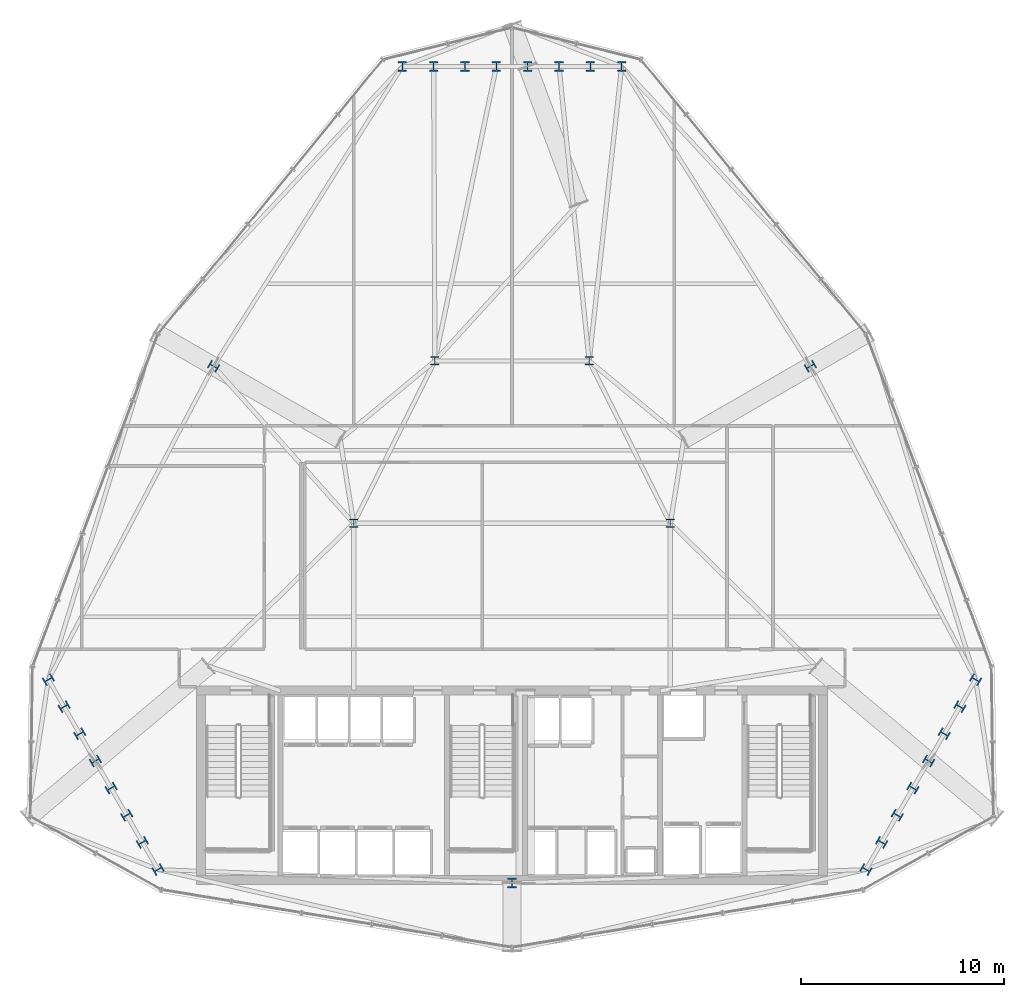
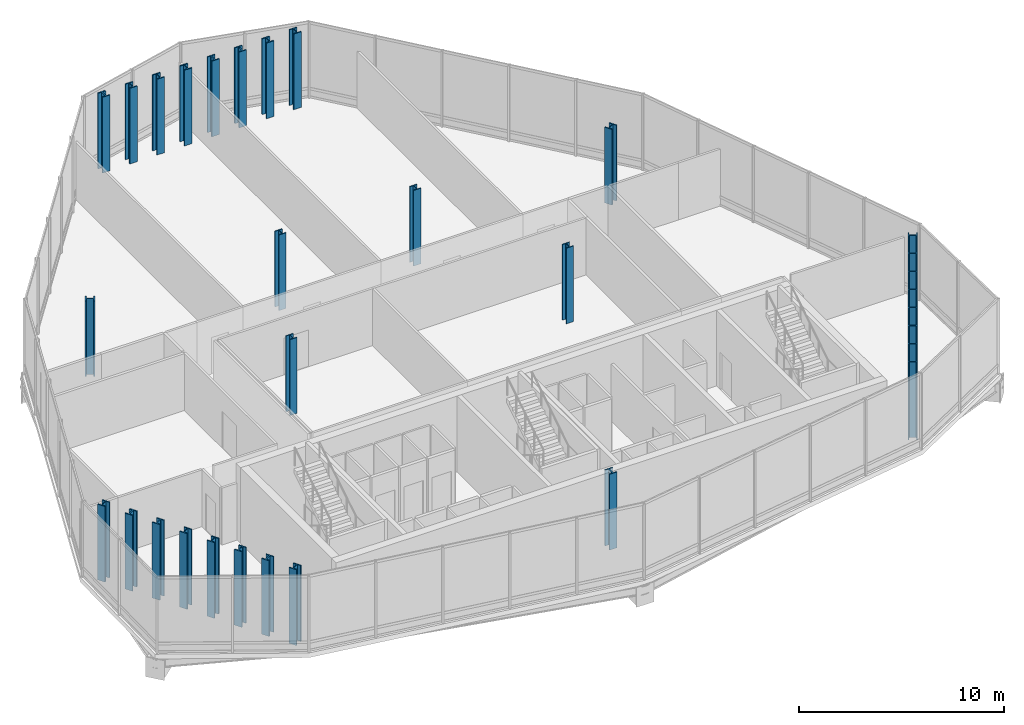
# One storey, part 1 of 26: 31 columns.
"""IFC4 building model written with IfcOpenShell, lengths in metres."""

from ifc_helpers import new_model, si_unit, direction, frame, origin, origin_2d, place, context, subcontext, project, spatial, i_section, extrude, material, material_profile, profile_set, type_object, element, save


model = new_model("IFC4")

# Units and contexts
model_context = context("Model", 3, precision=1e-05, world=origin(), true_north=direction((0.0, 1.0)))
body_context = subcontext(model_context, "Body", "Model", "MODEL_VIEW")
ifc_project = project(units=[si_unit("LENGTHUNIT", "METRE"), si_unit("AREAUNIT", "SQUARE_METRE"), si_unit("VOLUMEUNIT", "CUBIC_METRE"), si_unit("PLANEANGLEUNIT", "RADIAN"), si_unit("MASSUNIT", "GRAM", prefix="KILO")], contexts=[model_context])

# Site, building, storey
site_placement = place(None, origin())
site = spatial("IfcSite", under=ifc_project, at=site_placement, CompositionType="ELEMENT")
building_placement = place(site_placement, origin())
building = spatial("IfcBuilding", under=site, at=building_placement, Name="Ndaravel Arena Tower", CompositionType="ELEMENT")
storey_placement = place(building_placement, frame((0.0, 0.0, 117.39990234375)))
storey = spatial("IfcBuildingStorey", under=building, at=storey_placement, Name="L27", CompositionType="ELEMENT", Elevation=117.39990234375)

# Columns
ifc_material_1 = material(Name="Steel S355", Category="steel")
ifc_material_profile_1 = material_profile(ifc_material_1, i_section(OverallWidth=0.406982421875, OverallDepth=0.4189453125, WebThickness=0.030517578125, FlangeThickness=0.04931640625, FilletRadius=0.01513671875, at=origin_2d()), Name="UC 356x406x393")
ifc_profile_set_1 = profile_set([ifc_material_profile_1], Name="Steel S355")
column_type_1 = type_object("IfcColumnType", Name="COL-INT-UC393", PredefinedType="COLUMN", material=ifc_profile_set_1)
for number, where, z_axis, x_axis, name in (
    (1, (34.199951171875, 23.199951171875, 0.0), (0.0, 0.0, 1.0), (1.0, 0.0, 0.0), "L27 Interior Spine Column IC-01"),
    (2, (49.800048828125, 23.199951171875, 0.0), (0.0, 0.0, 1.0), (1.0, 0.0, 0.0), "L27 Interior Spine Column IC-02"),
    (3, (38.199951171875, 31.199951171875, 0.0), (0.0, 0.0, 1.0), (1.0, 0.0, 0.0), "L27 Interior Spine Column IC-03"),
    (4, (45.800048828125, 31.199951171875, 0.0), (0.0, 0.0, 1.0), (1.0, 0.0, 0.0), "L27 Interior Spine Column IC-04"),
):
    element("IfcColumn", number, at=place(storey_placement, frame(where, z_axis=z_axis, x_axis=x_axis)), inside=storey, type_object=column_type_1, Name=name, PredefinedType="COLUMN", context=body_context, shape_type="SweptSolid", body=[
        extrude(i_section(OverallWidth=0.406982421875, OverallDepth=0.4189453125, WebThickness=0.030517578125, FlangeThickness=0.04931640625, FilletRadius=0.01513671875, at=origin_2d()), origin(), (0.0, 0.0, 1.0), 4.52001953125),
    ])
ifc_material_2 = material(Name="Steel S355", Category="steel")
ifc_material_profile_2 = material_profile(ifc_material_2, i_section(OverallWidth=0.427978515625, OverallDepth=0.48095703125, WebThickness=0.051025390625, FlangeThickness=0.06494140625, FilletRadius=0.014892578125, at=origin_2d()), Name="HD 400x677")
ifc_profile_set_2 = profile_set([ifc_material_profile_2], Name="Steel S355")
column_type_2 = type_object("IfcColumnType", Name="COL-TUBE-HD677", PredefinedType="COLUMN", material=ifc_profile_set_2)
for number, where, z_axis, x_axis, name in (
    (5, (42.0, 5.47998046875, 0.0), (0.0, 0.0, 1.0), (1.0, 0.0, 0.0), "L27 Framed Tube Column TC-01"),
    (6, (59.435791015625, 6.148193359375, 0.0), (0.0, 0.0, 1.0), (0.5, 0.866025403784, 0.0), "L27 Framed Tube Column TC-02"),
    (7, (60.20751953125, 7.48486328125, 0.0), (0.0, 0.0, 1.0), (0.5, 0.866025403784, 0.0), "L27 Framed Tube Column TC-03"),
    (8, (60.979248046875, 8.8212890625, 0.0), (0.0, 0.0, 1.0), (0.5, 0.866025403784, 0.0), "L27 Framed Tube Column TC-04"),
    (9, (61.750732421875, 10.157958984375, 0.0), (0.0, 0.0, 1.0), (0.5, 0.866025403784, 0.0), "L27 Framed Tube Column TC-05"),
    (10, (62.5224609375, 11.49462890625, 0.0), (0.0, 0.0, 1.0), (0.5, 0.866025403784, 0.0), "L27 Framed Tube Column TC-06"),
    (11, (63.294189453125, 12.831298828125, 0.0), (0.0, 0.0, 1.0), (0.5, 0.866025403784, 0.0), "L27 Framed Tube Column TC-07"),
    (12, (64.06591796875, 14.167724609375, 0.0), (0.0, 0.0, 1.0), (0.5, 0.866025403784, 0.0), "L27 Framed Tube Column TC-08"),
    (13, (64.83740234375, 15.50439453125, 0.0), (0.0, 0.0, 1.0), (0.5, 0.866025403784, 0.0), "L27 Framed Tube Column TC-09"),
    (14, (56.6982421875, 30.938232421875, 0.0), (0.0, 0.0, 1.0), (-0.5, 0.866025403784, 0.0), "L27 Framed Tube Column TC-10"),
    (15, (47.401611328125, 45.7041015625, 0.0), (0.0, 0.0, 1.0), (1.0, 0.0, 0.0), "L27 Framed Tube Column TC-11"),
    (16, (45.8583984375, 45.7041015625, 0.0), (0.0, 0.0, 1.0), (1.0, 0.0, 0.0), "L27 Framed Tube Column TC-12"),
    (17, (44.31494140625, 45.7041015625, 0.0), (0.0, 0.0, 1.0), (1.0, 0.0, 0.0), "L27 Framed Tube Column TC-13"),
    (18, (42.771728515625, 45.7041015625, 0.0), (0.0, 0.0, 1.0), (1.0, 0.0, 0.0), "L27 Framed Tube Column TC-14"),
    (19, (41.228271484375, 45.7041015625, 0.0), (0.0, 0.0, 1.0), (1.0, 0.0, 0.0), "L27 Framed Tube Column TC-15"),
    (20, (39.68505859375, 45.7041015625, 0.0), (0.0, 0.0, 1.0), (1.0, 0.0, 0.0), "L27 Framed Tube Column TC-16"),
    (21, (38.1416015625, 45.7041015625, 0.0), (0.0, 0.0, 1.0), (1.0, 0.0, 0.0), "L27 Framed Tube Column TC-17"),
    (22, (36.598388671875, 45.7041015625, 0.0), (0.0, 0.0, 1.0), (1.0, 0.0, 0.0), "L27 Framed Tube Column TC-18"),
    (23, (27.3017578125, 30.938232421875, 0.0), (0.0, 0.0, 1.0), (0.5, 0.866025403784, 0.0), "L27 Framed Tube Column TC-19"),
    (24, (19.16259765625, 15.50439453125, 0.0), (0.0, 0.0, 1.0), (-0.5, 0.866025403784, 0.0), "L27 Framed Tube Column TC-20"),
    (25, (19.93408203125, 14.167724609375, 0.0), (0.0, 0.0, 1.0), (-0.5, 0.866025403784, 0.0), "L27 Framed Tube Column TC-21"),
    (26, (20.705810546875, 12.831298828125, 0.0), (0.0, 0.0, 1.0), (-0.5, 0.866025403784, 0.0), "L27 Framed Tube Column TC-22"),
    (27, (21.4775390625, 11.49462890625, 0.0), (0.0, 0.0, 1.0), (-0.5, 0.866025403784, 0.0), "L27 Framed Tube Column TC-23"),
    (28, (22.249267578125, 10.157958984375, 0.0), (0.0, 0.0, 1.0), (-0.5, 0.866025403784, 0.0), "L27 Framed Tube Column TC-24"),
    (29, (23.020751953125, 8.8212890625, 0.0), (0.0, 0.0, 1.0), (-0.5, 0.866025403784, 0.0), "L27 Framed Tube Column TC-25"),
    (30, (23.79248046875, 7.48486328125, 0.0), (0.0, 0.0, 1.0), (-0.5, 0.866025403784, 0.0), "L27 Framed Tube Column TC-26"),
    (31, (24.564208984375, 6.148193359375, 0.0), (0.0, 0.0, 1.0), (-0.5, 0.866025403784, 0.0), "L27 Framed Tube Column TC-27"),
):
    element("IfcColumn", number, at=place(storey_placement, frame(where, z_axis=z_axis, x_axis=x_axis)), inside=storey, type_object=column_type_2, Name=name, PredefinedType="COLUMN", context=body_context, shape_type="SweptSolid", body=[
        extrude(i_section(OverallWidth=0.427978515625, OverallDepth=0.48095703125, WebThickness=0.051025390625, FlangeThickness=0.06494140625, FilletRadius=0.014892578125, at=origin_2d()), origin(), (0.0, 0.0, 1.0), 4.52001953125),
    ])

save(model, "model.ifc")
